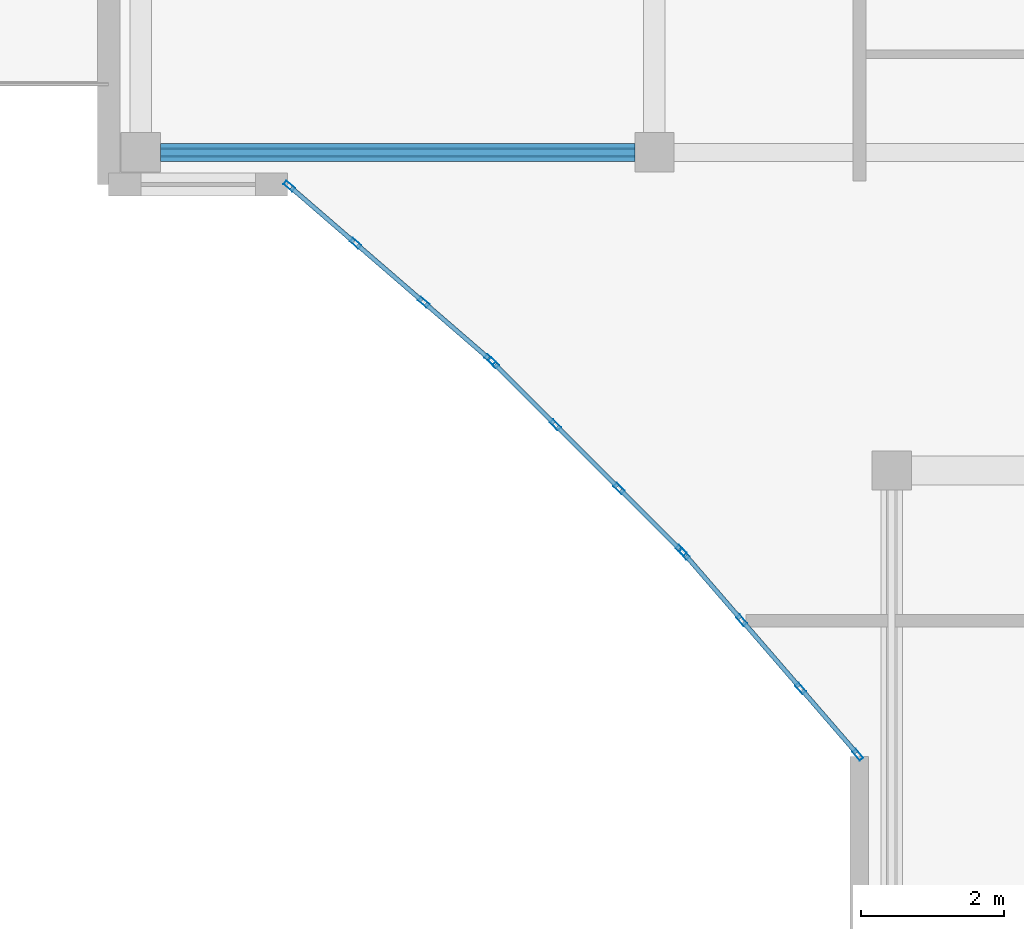
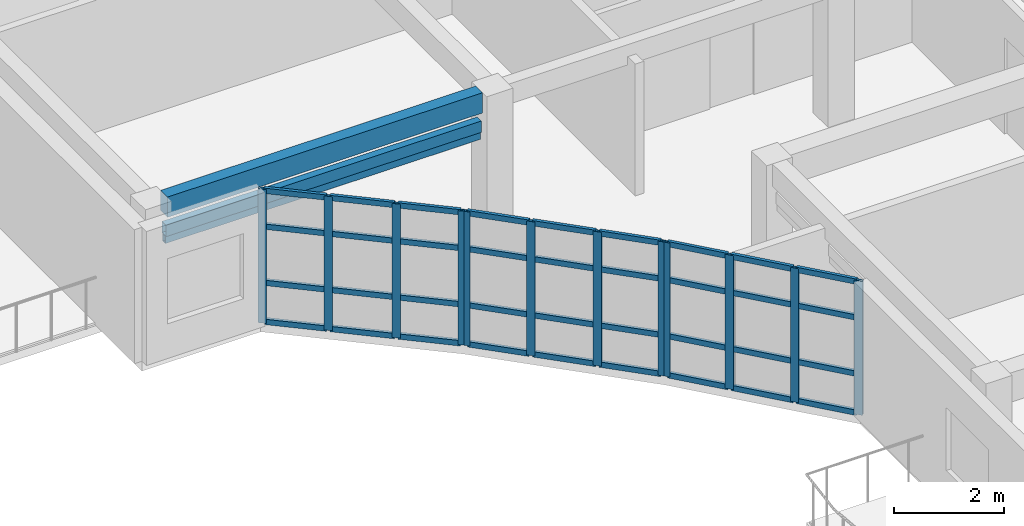
# One storey, part 11 of 54: 50 members, 1 beam, 3 elements without a shape of their own.
"""IFC4 building model written with IfcOpenShell, lengths in metres."""

from ifc_helpers import new_model, si_unit, direction, frame, origin, origin_2d, place, context, subcontext, project, spatial, rectangle, hollow_rectangle, extrude, material, layer, layer_set, material_profile, profile_set, type_object, element, aggregate, save


model = new_model("IFC4")

# Units and contexts
model_context = context("Model", 3, precision=1e-05, world=origin(), true_north=direction((0.0, 1.0)))
body_context = subcontext(model_context, "Body", "Model", "MODEL_VIEW")
ifc_project = project(units=[si_unit("LENGTHUNIT", "METRE"), si_unit("AREAUNIT", "SQUARE_METRE"), si_unit("VOLUMEUNIT", "CUBIC_METRE"), si_unit("PLANEANGLEUNIT", "RADIAN"), si_unit("MASSUNIT", "GRAM", prefix="KILO")], contexts=[model_context])

# Site, building, storey
site_placement = place(None, origin())
site = spatial("IfcSite", under=ifc_project, at=site_placement, CompositionType="ELEMENT")
building_placement = place(site_placement, origin())
building = spatial("IfcBuilding", under=site, at=building_placement, Name="Keldmere Railside Commons", CompositionType="ELEMENT")
storey_placement = place(building_placement, frame((0.0, 0.0, 26.56005859375)))
storey = spatial("IfcBuildingStorey", under=building, at=storey_placement, Name="L08", CompositionType="ELEMENT", Elevation=26.56005859375)

# Member
ifc_material_1 = material(Name="Steel F-36 (S355)", Category="steel")
ifc_material_profile_1 = material_profile(ifc_material_1, hollow_rectangle(XDim=0.14990234375, YDim=0.25, WallThickness=0.010009765625, at=origin_2d()), Name="RHS-250x150x10")
ifc_profile_set_1 = profile_set([ifc_material_profile_1], Name="Steel F-36 (S355)")
member_type_1 = type_object("IfcMemberType", Name="Balcony Continuous Planted Trough RHS250x150", PredefinedType="CHORD", material=ifc_profile_set_1)
member_1_placement = place(storey_placement, frame((94.22509765625, 100.449951171875, 2.4150390625), z_axis=(1.0, 0.0, 0.0), x_axis=(0.0, 1.0, 0.0)))
element("IfcMember", 1, at=member_1_placement, inside=storey, type_object=member_type_1, Name="PLT-1 MEM-BPLT-0887", PredefinedType="CHORD", context=body_context, shape_type="SweptSolid", body=[
    extrude(hollow_rectangle(XDim=0.14990234375, YDim=0.25, WallThickness=0.010009765625, at=origin_2d()), origin(), (0.0, 0.0, 1.0), 6.6328125),
])

# Beam
ifc_material_2 = material(Name="Architectural Precast Concrete H-35 (C35/45)", Category="concrete")
ifc_material_profile_2 = material_profile(ifc_material_2, rectangle(XDim=0.25, YDim=0.449951171875, at=origin_2d()), Name="RC-250x450")
ifc_profile_set_2 = profile_set([ifc_material_profile_2], Name="Architectural Precast Concrete H-35 (C35/45)")
beam_type = type_object("IfcBeamType", Name="Perimeter Precast Spandrel Beam 250x450", PredefinedType="SPANDREL", material=ifc_profile_set_2)
beam_placement = place(storey_placement, frame((94.22509765625, 100.449951171875, 2.974853515625), z_axis=(1.0, 0.0, 0.0), x_axis=(0.0, 1.0, 0.0)))
element("IfcBeam", 2, at=beam_placement, inside=storey, type_object=beam_type, Name="SPB-1 BM-L08-2193", PredefinedType="SPANDREL", context=body_context, shape_type="SweptSolid", body=[
    extrude(rectangle(XDim=0.25, YDim=0.449951171875, at=origin_2d()), origin(), (0.0, 0.0, 1.0), 6.6328125),
])

# Member
ifc_material_profile_3 = material_profile(ifc_material_1, hollow_rectangle(XDim=0.10009765625, YDim=0.159912109375, WallThickness=0.008056640625, at=origin_2d()), Name="RHS-160x100x8")
ifc_profile_set_3 = profile_set([ifc_material_profile_3], Name="Steel F-36 (S355)")
member_type_2 = type_object("IfcMemberType", Name="Solar Brise-Soleil Louvre Fin RHS160x100", PredefinedType="STRUT", material=ifc_profile_set_3)
member_2_placement = place(storey_placement, frame((94.22509765625, 100.449951171875, 2.199951171875), z_axis=(1.0, 0.0, 0.0), x_axis=(0.0, 1.0, 0.0)))
element("IfcMember", 3, at=member_2_placement, inside=storey, type_object=member_type_2, Name="BSF-1 MEM-BSF-0888", PredefinedType="STRUT", context=body_context, shape_type="SweptSolid", body=[
    extrude(hollow_rectangle(XDim=0.10009765625, YDim=0.159912109375, WallThickness=0.008056640625, at=origin_2d()), origin(), (0.0, 0.0, 1.0), 6.6328125),
])

# Curtain wall, members
ifc_material_3 = material(Name="Thermally Broken Aluminium", Category="aluminium")
ifc_layer_1 = layer(ifc_material_3, 0.159912109375, Name="Court Chord Wintergarden CW 4800x2850")
ifc_layer_set_1 = layer_set([ifc_layer_1], Name="Thermally Broken Aluminium")
curtain_wall_type_1 = type_object("IfcCurtainWallType", Name="Court Chord Wintergarden CW 4800x2850", PredefinedType="NOTDEFINED", material=ifc_layer_set_1)
curtain_wall_1_placement = place(storey_placement, origin())
curtain_wall_1 = element("IfcCurtainWall", 4, at=curtain_wall_1_placement, inside=storey, type_object=curtain_wall_type_1, Name="CW-12 CW-L08-136", PredefinedType="NOTDEFINED")
ifc_material_profile_4 = material_profile(ifc_material_3, hollow_rectangle(XDim=0.06494140625, YDim=0.159912109375, WallThickness=0.00390625, at=origin_2d()), Name="ALU-MULL-65x160")
ifc_profile_set_4 = profile_set([ifc_material_profile_4], Name="Thermally Broken Aluminium")
member_type_3 = type_object("IfcMemberType", Name="Unitised Curtain Wall Mullion 65x160", PredefinedType="MULLION", material=ifc_profile_set_4)
member_3_placement = place(storey_placement, frame((98.83349609375, 97.55126953125, 0.0), z_axis=(0.0, 0.0, 1.0), x_axis=(-0.653881741053, -0.756596767584, 0.0)))
member_3 = element("IfcMember", 5, at=member_3_placement, type_object=member_type_3, Name="CW-12 mullion 1", PredefinedType="MULLION", context=body_context, shape_type="SweptSolid", body=[
    extrude(hollow_rectangle(XDim=0.06494140625, YDim=0.159912109375, WallThickness=0.00390625, at=origin_2d()), origin(), (0.0, 0.0, 1.0), 2.97998046875),
])
member_4_placement = place(storey_placement, frame((97.9052734375, 98.353271484375, 0.0), z_axis=(0.0, 0.0, 1.0), x_axis=(-0.653881741053, -0.756596767584, 0.0)))
member_4 = element("IfcMember", 6, at=member_4_placement, type_object=member_type_3, Name="CW-12 mullion 2", PredefinedType="MULLION", context=body_context, shape_type="SweptSolid", body=[
    extrude(hollow_rectangle(XDim=0.06494140625, YDim=0.159912109375, WallThickness=0.00390625, at=origin_2d()), origin(), (0.0, 0.0, 1.0), 2.97998046875),
])
member_5_placement = place(storey_placement, frame((96.95263671875, 99.1767578125, 0.0), z_axis=(0.0, 0.0, 1.0), x_axis=(-0.653881741053, -0.756596767584, 0.0)))
member_5 = element("IfcMember", 7, at=member_5_placement, type_object=member_type_3, Name="CW-12 mullion 3", PredefinedType="MULLION", context=body_context, shape_type="SweptSolid", body=[
    extrude(hollow_rectangle(XDim=0.06494140625, YDim=0.159912109375, WallThickness=0.00390625, at=origin_2d()), origin(), (0.0, 0.0, 1.0), 2.97998046875),
])
member_6_placement = place(storey_placement, frame((96.024658203125, 99.978759765625, 0.0), z_axis=(0.0, 0.0, 1.0), x_axis=(-0.653881741053, -0.756596767584, 0.0)))
member_6 = element("IfcMember", 8, at=member_6_placement, type_object=member_type_3, Name="CW-12 mullion 4", PredefinedType="MULLION", context=body_context, shape_type="SweptSolid", body=[
    extrude(hollow_rectangle(XDim=0.06494140625, YDim=0.159912109375, WallThickness=0.00390625, at=origin_2d()), origin(), (0.0, 0.0, 1.0), 2.97998046875),
])

ifc_layer_2 = layer(ifc_material_3, 0.159912109375, Name="Court Chord Wintergarden CW 5400x2850")
ifc_layer_set_2 = layer_set([ifc_layer_2], Name="Thermally Broken Aluminium")
curtain_wall_type_2 = type_object("IfcCurtainWallType", Name="Court Chord Wintergarden CW 5400x2850", PredefinedType="NOTDEFINED", material=ifc_layer_set_2)
curtain_wall_2_placement = place(storey_placement, origin())
curtain_wall_2 = element("IfcCurtainWall", 9, at=curtain_wall_2_placement, inside=storey, type_object=curtain_wall_type_2, Name="CW-13 CW-L08-137", PredefinedType="NOTDEFINED")
member_7_placement = place(storey_placement, frame((101.507080078125, 94.880859375, 0.0), z_axis=(0.0, 0.0, 1.0), x_axis=(-0.707106781187, -0.707106781187, 0.0)))
member_7 = element("IfcMember", 10, at=member_7_placement, type_object=member_type_3, Name="CW-13 mullion 1", PredefinedType="MULLION", context=body_context, shape_type="SweptSolid", body=[
    extrude(hollow_rectangle(XDim=0.06494140625, YDim=0.159912109375, WallThickness=0.00390625, at=origin_2d()), origin(), (0.0, 0.0, 1.0), 2.97998046875),
])
member_8_placement = place(storey_placement, frame((100.639404296875, 95.748779296875, 0.0), z_axis=(0.0, 0.0, 1.0), x_axis=(-0.707106781187, -0.707106781187, 0.0)))
member_8 = element("IfcMember", 11, at=member_8_placement, type_object=member_type_3, Name="CW-13 mullion 2", PredefinedType="MULLION", context=body_context, shape_type="SweptSolid", body=[
    extrude(hollow_rectangle(XDim=0.06494140625, YDim=0.159912109375, WallThickness=0.00390625, at=origin_2d()), origin(), (0.0, 0.0, 1.0), 2.97998046875),
])
member_9_placement = place(storey_placement, frame((99.748779296875, 96.639404296875, 0.0), z_axis=(0.0, 0.0, 1.0), x_axis=(-0.707106781187, -0.707106781187, 0.0)))
member_9 = element("IfcMember", 12, at=member_9_placement, type_object=member_type_3, Name="CW-13 mullion 3", PredefinedType="MULLION", context=body_context, shape_type="SweptSolid", body=[
    extrude(hollow_rectangle(XDim=0.06494140625, YDim=0.159912109375, WallThickness=0.00390625, at=origin_2d()), origin(), (0.0, 0.0, 1.0), 2.97998046875),
])
member_10_placement = place(storey_placement, frame((98.880859375, 97.507080078125, 0.0), z_axis=(0.0, 0.0, 1.0), x_axis=(-0.707106781187, -0.707106781187, 0.0)))
member_10 = element("IfcMember", 13, at=member_10_placement, type_object=member_type_3, Name="CW-13 mullion 4", PredefinedType="MULLION", context=body_context, shape_type="SweptSolid", body=[
    extrude(hollow_rectangle(XDim=0.06494140625, YDim=0.159912109375, WallThickness=0.00390625, at=origin_2d()), origin(), (0.0, 0.0, 1.0), 2.97998046875),
])

curtain_wall_3_placement = place(storey_placement, origin())
curtain_wall_3 = element("IfcCurtainWall", 14, at=curtain_wall_3_placement, inside=storey, type_object=curtain_wall_type_1, Name="CW-12 CW-L08-138", PredefinedType="NOTDEFINED")
member_11_placement = place(storey_placement, frame((103.978759765625, 92.024658203125, 0.0), z_axis=(0.0, 0.0, 1.0), x_axis=(-0.756596767584, -0.653881741053, 0.0)))
member_11 = element("IfcMember", 15, at=member_11_placement, type_object=member_type_3, Name="CW-12 mullion 1", PredefinedType="MULLION", context=body_context, shape_type="SweptSolid", body=[
    extrude(hollow_rectangle(XDim=0.06494140625, YDim=0.159912109375, WallThickness=0.00390625, at=origin_2d()), origin(), (0.0, 0.0, 1.0), 2.97998046875),
])
member_12_placement = place(storey_placement, frame((103.1767578125, 92.95263671875, 0.0), z_axis=(0.0, 0.0, 1.0), x_axis=(-0.756596767584, -0.653881741053, 0.0)))
member_12 = element("IfcMember", 16, at=member_12_placement, type_object=member_type_3, Name="CW-12 mullion 2", PredefinedType="MULLION", context=body_context, shape_type="SweptSolid", body=[
    extrude(hollow_rectangle(XDim=0.06494140625, YDim=0.159912109375, WallThickness=0.00390625, at=origin_2d()), origin(), (0.0, 0.0, 1.0), 2.97998046875),
])
member_13_placement = place(storey_placement, frame((102.353271484375, 93.9052734375, 0.0), z_axis=(0.0, 0.0, 1.0), x_axis=(-0.756596767584, -0.653881741053, 0.0)))
member_13 = element("IfcMember", 17, at=member_13_placement, type_object=member_type_3, Name="CW-12 mullion 3", PredefinedType="MULLION", context=body_context, shape_type="SweptSolid", body=[
    extrude(hollow_rectangle(XDim=0.06494140625, YDim=0.159912109375, WallThickness=0.00390625, at=origin_2d()), origin(), (0.0, 0.0, 1.0), 2.97998046875),
])
member_14_placement = place(storey_placement, frame((101.55126953125, 94.83349609375, 0.0), z_axis=(0.0, 0.0, 1.0), x_axis=(-0.756596767584, -0.653881741053, 0.0)))
member_14 = element("IfcMember", 18, at=member_14_placement, type_object=member_type_3, Name="CW-12 mullion 4", PredefinedType="MULLION", context=body_context, shape_type="SweptSolid", body=[
    extrude(hollow_rectangle(XDim=0.06494140625, YDim=0.159912109375, WallThickness=0.00390625, at=origin_2d()), origin(), (0.0, 0.0, 1.0), 2.97998046875),
])

# Member
ifc_material_profile_5 = material_profile(ifc_material_3, hollow_rectangle(XDim=0.06494140625, YDim=0.1201171875, WallThickness=0.00390625, at=origin_2d()), Name="ALU-TRAN-65x120")
ifc_profile_set_5 = profile_set([ifc_material_profile_5], Name="Thermally Broken Aluminium")
member_type_4 = type_object("IfcMemberType", Name="Unitised Curtain Wall Transom 65x120", PredefinedType="USERDEFINED", material=ifc_profile_set_5)
member_15_placement = place(storey_placement, frame((98.808837890625, 97.572509765625, 0.032470703125), z_axis=(-0.756624489527, 0.653849663033, 0.0), x_axis=(-0.653849663033, -0.756624489527, 0.0)))
member_15 = element("IfcMember", 19, at=member_15_placement, type_object=member_type_4, Name="CW-12 transom 1.1", ObjectType="TRANSOM", PredefinedType="USERDEFINED", context=body_context, shape_type="SweptSolid", body=[
    extrude(hollow_rectangle(XDim=0.06494140625, YDim=0.1201171875, WallThickness=0.00390625, at=origin_2d()), origin(), (0.0, 0.0, 1.0), 1.16162109375),
])

member_16_placement = place(storey_placement, frame((98.808837890625, 97.572509765625, 0.89990234375), z_axis=(-0.756624489527, 0.653849663033, 0.0), x_axis=(-0.653849663033, -0.756624489527, 0.0)))
member_16 = element("IfcMember", 20, at=member_16_placement, type_object=member_type_4, Name="CW-12 transom 1.2", ObjectType="TRANSOM", PredefinedType="USERDEFINED", context=body_context, shape_type="SweptSolid", body=[
    extrude(hollow_rectangle(XDim=0.06494140625, YDim=0.1201171875, WallThickness=0.00390625, at=origin_2d()), origin(), (0.0, 0.0, 1.0), 1.16162109375),
])

member_17_placement = place(storey_placement, frame((98.808837890625, 97.572509765625, 2.14990234375), z_axis=(-0.756624489527, 0.653849663033, 0.0), x_axis=(-0.653849663033, -0.756624489527, 0.0)))
member_17 = element("IfcMember", 21, at=member_17_placement, type_object=member_type_4, Name="CW-12 transom 1.3", ObjectType="TRANSOM", PredefinedType="USERDEFINED", context=body_context, shape_type="SweptSolid", body=[
    extrude(hollow_rectangle(XDim=0.06494140625, YDim=0.1201171875, WallThickness=0.00390625, at=origin_2d()), origin(), (0.0, 0.0, 1.0), 1.16162109375),
])

member_18_placement = place(storey_placement, frame((98.808837890625, 97.572509765625, 2.947509765625), z_axis=(-0.756624489527, 0.653849663033, 0.0), x_axis=(-0.653849663033, -0.756624489527, 0.0)))
member_18 = element("IfcMember", 22, at=member_18_placement, type_object=member_type_4, Name="CW-12 transom 1.4", ObjectType="TRANSOM", PredefinedType="USERDEFINED", context=body_context, shape_type="SweptSolid", body=[
    extrude(hollow_rectangle(XDim=0.06494140625, YDim=0.1201171875, WallThickness=0.00390625, at=origin_2d()), origin(), (0.0, 0.0, 1.0), 1.16162109375),
])

member_19_placement = place(storey_placement, frame((97.880859375, 98.37451171875, 0.032470703125), z_axis=(-0.756551755881, 0.653933819796, 0.0), x_axis=(-0.653933819796, -0.756551755881, 0.0)))
member_19 = element("IfcMember", 23, at=member_19_placement, type_object=member_type_4, Name="CW-12 transom 2.1", ObjectType="TRANSOM", PredefinedType="USERDEFINED", context=body_context, shape_type="SweptSolid", body=[
    extrude(hollow_rectangle(XDim=0.06494140625, YDim=0.1201171875, WallThickness=0.00390625, at=origin_2d()), origin(), (0.0, 0.0, 1.0), 1.1943359375),
])

member_20_placement = place(storey_placement, frame((97.880859375, 98.37451171875, 0.89990234375), z_axis=(-0.756551755881, 0.653933819796, 0.0), x_axis=(-0.653933819796, -0.756551755881, 0.0)))
member_20 = element("IfcMember", 24, at=member_20_placement, type_object=member_type_4, Name="CW-12 transom 2.2", ObjectType="TRANSOM", PredefinedType="USERDEFINED", context=body_context, shape_type="SweptSolid", body=[
    extrude(hollow_rectangle(XDim=0.06494140625, YDim=0.1201171875, WallThickness=0.00390625, at=origin_2d()), origin(), (0.0, 0.0, 1.0), 1.1943359375),
])

member_21_placement = place(storey_placement, frame((97.880859375, 98.37451171875, 2.14990234375), z_axis=(-0.756551755881, 0.653933819796, 0.0), x_axis=(-0.653933819796, -0.756551755881, 0.0)))
member_21 = element("IfcMember", 25, at=member_21_placement, type_object=member_type_4, Name="CW-12 transom 2.3", ObjectType="TRANSOM", PredefinedType="USERDEFINED", context=body_context, shape_type="SweptSolid", body=[
    extrude(hollow_rectangle(XDim=0.06494140625, YDim=0.1201171875, WallThickness=0.00390625, at=origin_2d()), origin(), (0.0, 0.0, 1.0), 1.1943359375),
])

member_22_placement = place(storey_placement, frame((97.880859375, 98.37451171875, 2.947509765625), z_axis=(-0.756551755881, 0.653933819796, 0.0), x_axis=(-0.653933819796, -0.756551755881, 0.0)))
member_22 = element("IfcMember", 26, at=member_22_placement, type_object=member_type_4, Name="CW-12 transom 2.4", ObjectType="TRANSOM", PredefinedType="USERDEFINED", context=body_context, shape_type="SweptSolid", body=[
    extrude(hollow_rectangle(XDim=0.06494140625, YDim=0.1201171875, WallThickness=0.00390625, at=origin_2d()), origin(), (0.0, 0.0, 1.0), 1.1943359375),
])

member_23_placement = place(storey_placement, frame((96.927978515625, 99.197998046875, 0.032470703125), z_axis=(-0.756624489527, 0.653849663033, 0.0), x_axis=(-0.653849663033, -0.756624489527, 0.0)))
member_23 = element("IfcMember", 27, at=member_23_placement, type_object=member_type_4, Name="CW-12 transom 3.1", ObjectType="TRANSOM", PredefinedType="USERDEFINED", context=body_context, shape_type="SweptSolid", body=[
    extrude(hollow_rectangle(XDim=0.06494140625, YDim=0.1201171875, WallThickness=0.00390625, at=origin_2d()), origin(), (0.0, 0.0, 1.0), 1.16162109375),
])

member_24_placement = place(storey_placement, frame((96.927978515625, 99.197998046875, 0.89990234375), z_axis=(-0.756624489527, 0.653849663033, 0.0), x_axis=(-0.653849663033, -0.756624489527, 0.0)))
member_24 = element("IfcMember", 28, at=member_24_placement, type_object=member_type_4, Name="CW-12 transom 3.2", ObjectType="TRANSOM", PredefinedType="USERDEFINED", context=body_context, shape_type="SweptSolid", body=[
    extrude(hollow_rectangle(XDim=0.06494140625, YDim=0.1201171875, WallThickness=0.00390625, at=origin_2d()), origin(), (0.0, 0.0, 1.0), 1.16162109375),
])

member_25_placement = place(storey_placement, frame((96.927978515625, 99.197998046875, 2.14990234375), z_axis=(-0.756624489527, 0.653849663033, 0.0), x_axis=(-0.653849663033, -0.756624489527, 0.0)))
member_25 = element("IfcMember", 29, at=member_25_placement, type_object=member_type_4, Name="CW-12 transom 3.3", ObjectType="TRANSOM", PredefinedType="USERDEFINED", context=body_context, shape_type="SweptSolid", body=[
    extrude(hollow_rectangle(XDim=0.06494140625, YDim=0.1201171875, WallThickness=0.00390625, at=origin_2d()), origin(), (0.0, 0.0, 1.0), 1.16162109375),
])

member_26_placement = place(storey_placement, frame((96.927978515625, 99.197998046875, 2.947509765625), z_axis=(-0.756624489527, 0.653849663033, 0.0), x_axis=(-0.653849663033, -0.756624489527, 0.0)))
member_26 = element("IfcMember", 30, at=member_26_placement, type_object=member_type_4, Name="CW-12 transom 3.4", ObjectType="TRANSOM", PredefinedType="USERDEFINED", context=body_context, shape_type="SweptSolid", body=[
    extrude(hollow_rectangle(XDim=0.06494140625, YDim=0.1201171875, WallThickness=0.00390625, at=origin_2d()), origin(), (0.0, 0.0, 1.0), 1.16162109375),
])

aggregate(curtain_wall_1, [member_3, member_4, member_5, member_6, member_15, member_16, member_17, member_18, member_19, member_20, member_21, member_22, member_23, member_24, member_25, member_26])

member_27_placement = place(storey_placement, frame((101.484130859375, 94.904052734375, 0.032470703125), z_axis=(-0.707211825645, 0.707001721121, 0.0), x_axis=(-0.707001721121, -0.707211825645, 0.0)))
member_27 = element("IfcMember", 31, at=member_27_placement, type_object=member_type_4, Name="CW-13 transom 1.1", ObjectType="TRANSOM", PredefinedType="USERDEFINED", context=body_context, shape_type="SweptSolid", body=[
    extrude(hollow_rectangle(XDim=0.06494140625, YDim=0.1201171875, WallThickness=0.00390625, at=origin_2d()), origin(), (0.0, 0.0, 1.0), 1.162109375),
])

member_28_placement = place(storey_placement, frame((101.484130859375, 94.904052734375, 0.89990234375), z_axis=(-0.707211825645, 0.707001721121, 0.0), x_axis=(-0.707001721121, -0.707211825645, 0.0)))
member_28 = element("IfcMember", 32, at=member_28_placement, type_object=member_type_4, Name="CW-13 transom 1.2", ObjectType="TRANSOM", PredefinedType="USERDEFINED", context=body_context, shape_type="SweptSolid", body=[
    extrude(hollow_rectangle(XDim=0.06494140625, YDim=0.1201171875, WallThickness=0.00390625, at=origin_2d()), origin(), (0.0, 0.0, 1.0), 1.162109375),
])

member_29_placement = place(storey_placement, frame((101.484130859375, 94.904052734375, 2.14990234375), z_axis=(-0.707211825645, 0.707001721121, 0.0), x_axis=(-0.707001721121, -0.707211825645, 0.0)))
member_29 = element("IfcMember", 33, at=member_29_placement, type_object=member_type_4, Name="CW-13 transom 1.3", ObjectType="TRANSOM", PredefinedType="USERDEFINED", context=body_context, shape_type="SweptSolid", body=[
    extrude(hollow_rectangle(XDim=0.06494140625, YDim=0.1201171875, WallThickness=0.00390625, at=origin_2d()), origin(), (0.0, 0.0, 1.0), 1.162109375),
])

member_30_placement = place(storey_placement, frame((101.484130859375, 94.904052734375, 2.947509765625), z_axis=(-0.707211825645, 0.707001721121, 0.0), x_axis=(-0.707001721121, -0.707211825645, 0.0)))
member_30 = element("IfcMember", 34, at=member_30_placement, type_object=member_type_4, Name="CW-13 transom 1.4", ObjectType="TRANSOM", PredefinedType="USERDEFINED", context=body_context, shape_type="SweptSolid", body=[
    extrude(hollow_rectangle(XDim=0.06494140625, YDim=0.1201171875, WallThickness=0.00390625, at=origin_2d()), origin(), (0.0, 0.0, 1.0), 1.162109375),
])

member_31_placement = place(storey_placement, frame((100.616455078125, 95.771728515625, 0.032470703125), z_axis=(-0.707106781187, 0.707106781187, 0.0), x_axis=(-0.707106781187, -0.707106781187, 0.0)))
member_31 = element("IfcMember", 35, at=member_31_placement, type_object=member_type_4, Name="CW-13 transom 2.1", ObjectType="TRANSOM", PredefinedType="USERDEFINED", context=body_context, shape_type="SweptSolid", body=[
    extrude(hollow_rectangle(XDim=0.06494140625, YDim=0.1201171875, WallThickness=0.00390625, at=origin_2d()), origin(), (0.0, 0.0, 1.0), 1.194580078125),
])

member_32_placement = place(storey_placement, frame((100.616455078125, 95.771728515625, 0.89990234375), z_axis=(-0.707106781187, 0.707106781187, 0.0), x_axis=(-0.707106781187, -0.707106781187, 0.0)))
member_32 = element("IfcMember", 36, at=member_32_placement, type_object=member_type_4, Name="CW-13 transom 2.2", ObjectType="TRANSOM", PredefinedType="USERDEFINED", context=body_context, shape_type="SweptSolid", body=[
    extrude(hollow_rectangle(XDim=0.06494140625, YDim=0.1201171875, WallThickness=0.00390625, at=origin_2d()), origin(), (0.0, 0.0, 1.0), 1.194580078125),
])

member_33_placement = place(storey_placement, frame((100.616455078125, 95.771728515625, 2.14990234375), z_axis=(-0.707106781187, 0.707106781187, 0.0), x_axis=(-0.707106781187, -0.707106781187, 0.0)))
member_33 = element("IfcMember", 37, at=member_33_placement, type_object=member_type_4, Name="CW-13 transom 2.3", ObjectType="TRANSOM", PredefinedType="USERDEFINED", context=body_context, shape_type="SweptSolid", body=[
    extrude(hollow_rectangle(XDim=0.06494140625, YDim=0.1201171875, WallThickness=0.00390625, at=origin_2d()), origin(), (0.0, 0.0, 1.0), 1.194580078125),
])

member_34_placement = place(storey_placement, frame((100.616455078125, 95.771728515625, 2.947509765625), z_axis=(-0.707106781187, 0.707106781187, 0.0), x_axis=(-0.707106781187, -0.707106781187, 0.0)))
member_34 = element("IfcMember", 38, at=member_34_placement, type_object=member_type_4, Name="CW-13 transom 2.4", ObjectType="TRANSOM", PredefinedType="USERDEFINED", context=body_context, shape_type="SweptSolid", body=[
    extrude(hollow_rectangle(XDim=0.06494140625, YDim=0.1201171875, WallThickness=0.00390625, at=origin_2d()), origin(), (0.0, 0.0, 1.0), 1.194580078125),
])

member_35_placement = place(storey_placement, frame((99.7255859375, 96.662353515625, 0.032470703125), z_axis=(-0.707001721121, 0.707211825645, 0.0), x_axis=(-0.707211825645, -0.707001721121, 0.0)))
member_35 = element("IfcMember", 39, at=member_35_placement, type_object=member_type_4, Name="CW-13 transom 3.1", ObjectType="TRANSOM", PredefinedType="USERDEFINED", context=body_context, shape_type="SweptSolid", body=[
    extrude(hollow_rectangle(XDim=0.06494140625, YDim=0.1201171875, WallThickness=0.00390625, at=origin_2d()), origin(), (0.0, 0.0, 1.0), 1.162109375),
])

member_36_placement = place(storey_placement, frame((99.7255859375, 96.662353515625, 0.89990234375), z_axis=(-0.707001721121, 0.707211825645, 0.0), x_axis=(-0.707211825645, -0.707001721121, 0.0)))
member_36 = element("IfcMember", 40, at=member_36_placement, type_object=member_type_4, Name="CW-13 transom 3.2", ObjectType="TRANSOM", PredefinedType="USERDEFINED", context=body_context, shape_type="SweptSolid", body=[
    extrude(hollow_rectangle(XDim=0.06494140625, YDim=0.1201171875, WallThickness=0.00390625, at=origin_2d()), origin(), (0.0, 0.0, 1.0), 1.162109375),
])

member_37_placement = place(storey_placement, frame((99.7255859375, 96.662353515625, 2.14990234375), z_axis=(-0.707001721121, 0.707211825645, 0.0), x_axis=(-0.707211825645, -0.707001721121, 0.0)))
member_37 = element("IfcMember", 41, at=member_37_placement, type_object=member_type_4, Name="CW-13 transom 3.3", ObjectType="TRANSOM", PredefinedType="USERDEFINED", context=body_context, shape_type="SweptSolid", body=[
    extrude(hollow_rectangle(XDim=0.06494140625, YDim=0.1201171875, WallThickness=0.00390625, at=origin_2d()), origin(), (0.0, 0.0, 1.0), 1.162109375),
])

member_38_placement = place(storey_placement, frame((99.7255859375, 96.662353515625, 2.947509765625), z_axis=(-0.707001721121, 0.707211825645, 0.0), x_axis=(-0.707211825645, -0.707001721121, 0.0)))
member_38 = element("IfcMember", 42, at=member_38_placement, type_object=member_type_4, Name="CW-13 transom 3.4", ObjectType="TRANSOM", PredefinedType="USERDEFINED", context=body_context, shape_type="SweptSolid", body=[
    extrude(hollow_rectangle(XDim=0.06494140625, YDim=0.1201171875, WallThickness=0.00390625, at=origin_2d()), origin(), (0.0, 0.0, 1.0), 1.162109375),
])

aggregate(curtain_wall_2, [member_7, member_8, member_9, member_10, member_27, member_28, member_29, member_30, member_31, member_32, member_33, member_34, member_35, member_36, member_37, member_38])

member_39_placement = place(storey_placement, frame((103.95751953125, 92.049072265625, 0.032470703125), z_axis=(-0.653849663033, 0.756624489527, 0.0), x_axis=(-0.756624489527, -0.653849663033, 0.0)))
member_39 = element("IfcMember", 43, at=member_39_placement, type_object=member_type_4, Name="CW-12 transom 1.1", ObjectType="TRANSOM", PredefinedType="USERDEFINED", context=body_context, shape_type="SweptSolid", body=[
    extrude(hollow_rectangle(XDim=0.06494140625, YDim=0.1201171875, WallThickness=0.00390625, at=origin_2d()), origin(), (0.0, 0.0, 1.0), 1.16162109375),
])

member_40_placement = place(storey_placement, frame((103.95751953125, 92.049072265625, 0.89990234375), z_axis=(-0.653849663033, 0.756624489527, 0.0), x_axis=(-0.756624489527, -0.653849663033, 0.0)))
member_40 = element("IfcMember", 44, at=member_40_placement, type_object=member_type_4, Name="CW-12 transom 1.2", ObjectType="TRANSOM", PredefinedType="USERDEFINED", context=body_context, shape_type="SweptSolid", body=[
    extrude(hollow_rectangle(XDim=0.06494140625, YDim=0.1201171875, WallThickness=0.00390625, at=origin_2d()), origin(), (0.0, 0.0, 1.0), 1.16162109375),
])

member_41_placement = place(storey_placement, frame((103.95751953125, 92.049072265625, 2.14990234375), z_axis=(-0.653849663033, 0.756624489527, 0.0), x_axis=(-0.756624489527, -0.653849663033, 0.0)))
member_41 = element("IfcMember", 45, at=member_41_placement, type_object=member_type_4, Name="CW-12 transom 1.3", ObjectType="TRANSOM", PredefinedType="USERDEFINED", context=body_context, shape_type="SweptSolid", body=[
    extrude(hollow_rectangle(XDim=0.06494140625, YDim=0.1201171875, WallThickness=0.00390625, at=origin_2d()), origin(), (0.0, 0.0, 1.0), 1.16162109375),
])

member_42_placement = place(storey_placement, frame((103.95751953125, 92.049072265625, 2.947509765625), z_axis=(-0.653849663033, 0.756624489527, 0.0), x_axis=(-0.756624489527, -0.653849663033, 0.0)))
member_42 = element("IfcMember", 46, at=member_42_placement, type_object=member_type_4, Name="CW-12 transom 1.4", ObjectType="TRANSOM", PredefinedType="USERDEFINED", context=body_context, shape_type="SweptSolid", body=[
    extrude(hollow_rectangle(XDim=0.06494140625, YDim=0.1201171875, WallThickness=0.00390625, at=origin_2d()), origin(), (0.0, 0.0, 1.0), 1.16162109375),
])

member_43_placement = place(storey_placement, frame((103.155517578125, 92.977294921875, 0.032470703125), z_axis=(-0.653933819796, 0.756551755881, 0.0), x_axis=(-0.756551755881, -0.653933819796, 0.0)))
member_43 = element("IfcMember", 47, at=member_43_placement, type_object=member_type_4, Name="CW-12 transom 2.1", ObjectType="TRANSOM", PredefinedType="USERDEFINED", context=body_context, shape_type="SweptSolid", body=[
    extrude(hollow_rectangle(XDim=0.06494140625, YDim=0.1201171875, WallThickness=0.00390625, at=origin_2d()), origin(), (0.0, 0.0, 1.0), 1.1943359375),
])

member_44_placement = place(storey_placement, frame((103.155517578125, 92.977294921875, 0.89990234375), z_axis=(-0.653933819796, 0.756551755881, 0.0), x_axis=(-0.756551755881, -0.653933819796, 0.0)))
member_44 = element("IfcMember", 48, at=member_44_placement, type_object=member_type_4, Name="CW-12 transom 2.2", ObjectType="TRANSOM", PredefinedType="USERDEFINED", context=body_context, shape_type="SweptSolid", body=[
    extrude(hollow_rectangle(XDim=0.06494140625, YDim=0.1201171875, WallThickness=0.00390625, at=origin_2d()), origin(), (0.0, 0.0, 1.0), 1.1943359375),
])

member_45_placement = place(storey_placement, frame((103.155517578125, 92.977294921875, 2.14990234375), z_axis=(-0.653933819796, 0.756551755881, 0.0), x_axis=(-0.756551755881, -0.653933819796, 0.0)))
member_45 = element("IfcMember", 49, at=member_45_placement, type_object=member_type_4, Name="CW-12 transom 2.3", ObjectType="TRANSOM", PredefinedType="USERDEFINED", context=body_context, shape_type="SweptSolid", body=[
    extrude(hollow_rectangle(XDim=0.06494140625, YDim=0.1201171875, WallThickness=0.00390625, at=origin_2d()), origin(), (0.0, 0.0, 1.0), 1.1943359375),
])

member_46_placement = place(storey_placement, frame((103.155517578125, 92.977294921875, 2.947509765625), z_axis=(-0.653933819796, 0.756551755881, 0.0), x_axis=(-0.756551755881, -0.653933819796, 0.0)))
member_46 = element("IfcMember", 50, at=member_46_placement, type_object=member_type_4, Name="CW-12 transom 2.4", ObjectType="TRANSOM", PredefinedType="USERDEFINED", context=body_context, shape_type="SweptSolid", body=[
    extrude(hollow_rectangle(XDim=0.06494140625, YDim=0.1201171875, WallThickness=0.00390625, at=origin_2d()), origin(), (0.0, 0.0, 1.0), 1.1943359375),
])

member_47_placement = place(storey_placement, frame((102.33203125, 93.929931640625, 0.032470703125), z_axis=(-0.653849663033, 0.756624489527, 0.0), x_axis=(-0.756624489527, -0.653849663033, 0.0)))
member_47 = element("IfcMember", 51, at=member_47_placement, type_object=member_type_4, Name="CW-12 transom 3.1", ObjectType="TRANSOM", PredefinedType="USERDEFINED", context=body_context, shape_type="SweptSolid", body=[
    extrude(hollow_rectangle(XDim=0.06494140625, YDim=0.1201171875, WallThickness=0.00390625, at=origin_2d()), origin(), (0.0, 0.0, 1.0), 1.16162109375),
])

member_48_placement = place(storey_placement, frame((102.33203125, 93.929931640625, 0.89990234375), z_axis=(-0.653849663033, 0.756624489527, 0.0), x_axis=(-0.756624489527, -0.653849663033, 0.0)))
member_48 = element("IfcMember", 52, at=member_48_placement, type_object=member_type_4, Name="CW-12 transom 3.2", ObjectType="TRANSOM", PredefinedType="USERDEFINED", context=body_context, shape_type="SweptSolid", body=[
    extrude(hollow_rectangle(XDim=0.06494140625, YDim=0.1201171875, WallThickness=0.00390625, at=origin_2d()), origin(), (0.0, 0.0, 1.0), 1.16162109375),
])

member_49_placement = place(storey_placement, frame((102.33203125, 93.929931640625, 2.14990234375), z_axis=(-0.653849663033, 0.756624489527, 0.0), x_axis=(-0.756624489527, -0.653849663033, 0.0)))
member_49 = element("IfcMember", 53, at=member_49_placement, type_object=member_type_4, Name="CW-12 transom 3.3", ObjectType="TRANSOM", PredefinedType="USERDEFINED", context=body_context, shape_type="SweptSolid", body=[
    extrude(hollow_rectangle(XDim=0.06494140625, YDim=0.1201171875, WallThickness=0.00390625, at=origin_2d()), origin(), (0.0, 0.0, 1.0), 1.16162109375),
])

member_50_placement = place(storey_placement, frame((102.33203125, 93.929931640625, 2.947509765625), z_axis=(-0.653849663033, 0.756624489527, 0.0), x_axis=(-0.756624489527, -0.653849663033, 0.0)))
member_50 = element("IfcMember", 54, at=member_50_placement, type_object=member_type_4, Name="CW-12 transom 3.4", ObjectType="TRANSOM", PredefinedType="USERDEFINED", context=body_context, shape_type="SweptSolid", body=[
    extrude(hollow_rectangle(XDim=0.06494140625, YDim=0.1201171875, WallThickness=0.00390625, at=origin_2d()), origin(), (0.0, 0.0, 1.0), 1.16162109375),
])

aggregate(curtain_wall_3, [member_11, member_12, member_13, member_14, member_39, member_40, member_41, member_42, member_43, member_44, member_45, member_46, member_47, member_48, member_49, member_50])

save(model, "model.ifc")
